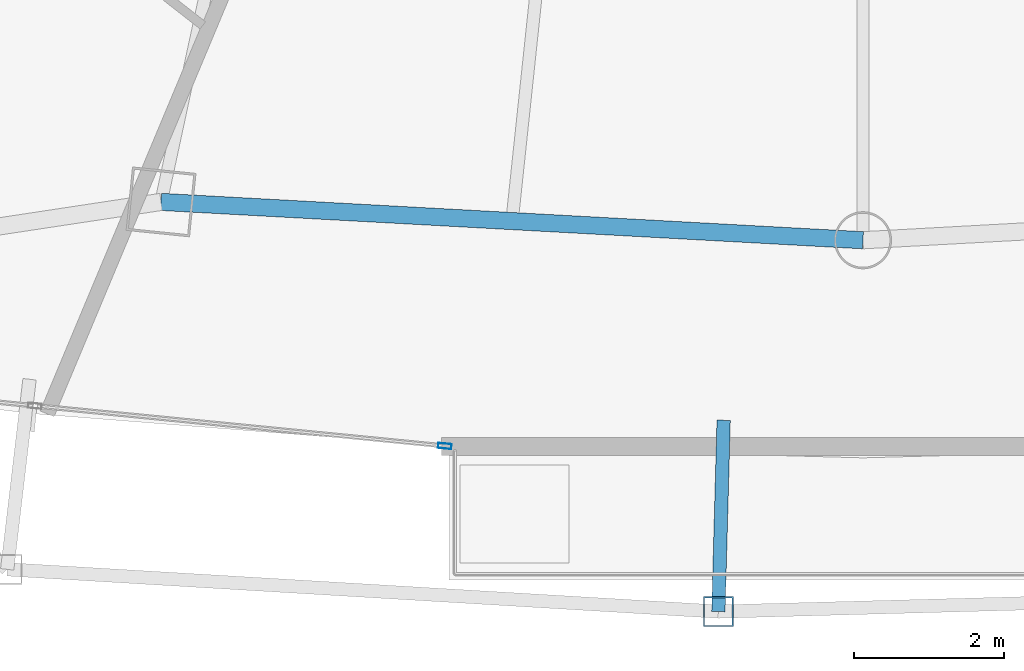
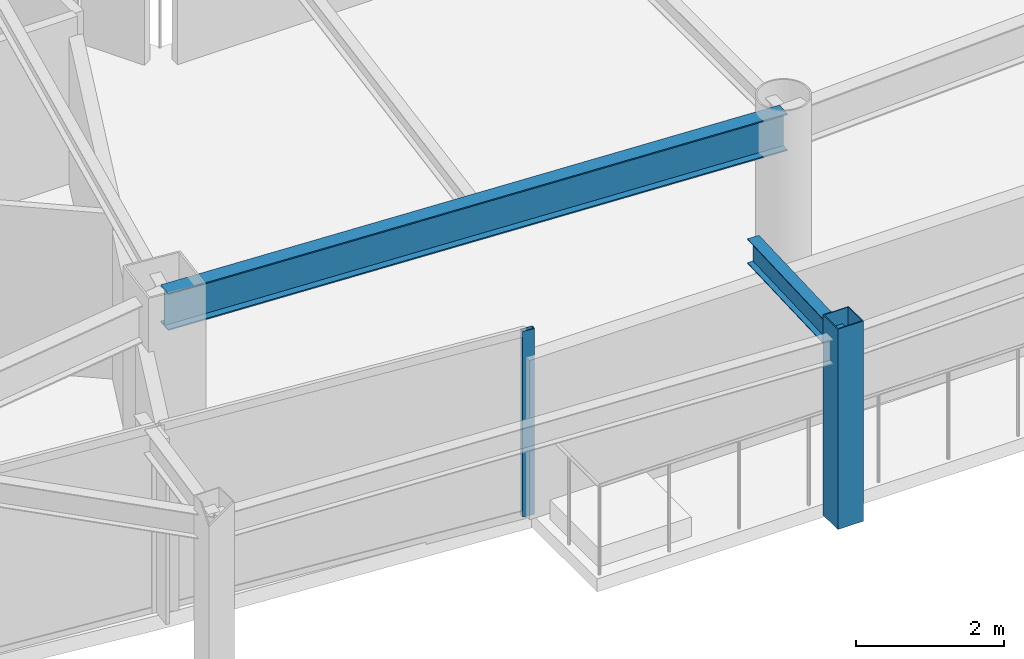
# One storey, part 7 of 30: 2 beams, 2 members, 1 element without a shape of its own.
"""IFC4 building model written with IfcOpenShell, lengths in metres."""

from ifc_helpers import new_model, si_unit, direction, frame, origin, origin_2d, place, context, subcontext, project, spatial, hollow_rectangle, i_section, extrude, material, layer, layer_set, material_profile, profile_set, type_object, element, aggregate, save


model = new_model("IFC4")

# Units and contexts
model_context = context("Model", 3, precision=1e-05, world=origin(), true_north=direction((0.0, 1.0)))
body_context = subcontext(model_context, "Body", "Model", "MODEL_VIEW")
ifc_project = project(units=[si_unit("LENGTHUNIT", "METRE"), si_unit("AREAUNIT", "SQUARE_METRE"), si_unit("VOLUMEUNIT", "CUBIC_METRE"), si_unit("PLANEANGLEUNIT", "RADIAN"), si_unit("MASSUNIT", "GRAM", prefix="KILO")], contexts=[model_context])

# Site, building, storey
site_placement = place(None, origin())
site = spatial("IfcSite", under=ifc_project, at=site_placement, CompositionType="ELEMENT")
building_placement = place(site_placement, origin())
building = spatial("IfcBuilding", under=site, at=building_placement, Name="Orvanel Arch Residences", CompositionType="ELEMENT")
storey_placement = place(building_placement, frame((0.0, 0.0, 180.35009765625)))
storey = spatial("IfcBuildingStorey", under=building, at=storey_placement, Name="L51", CompositionType="ELEMENT", Elevation=180.35009765625)

# Curtain wall, member
ifc_material_1 = material(Name="Bronze-anodised aluminium AA6063-T6", Category="aluminium")
ifc_layer = layer(ifc_material_1, 0.179931640625)
ifc_layer_set = layer_set([ifc_layer], Name="Bronze-anodised aluminium AA6063-T6")
curtain_wall_type = type_object("IfcCurtainWallType", Name="CW3-MID-SYS", PredefinedType="NOTDEFINED", material=ifc_layer_set)
curtain_wall_placement = place(storey_placement, origin())
curtain_wall = element("IfcCurtainWall", 1, at=curtain_wall_placement, inside=storey, type_object=curtain_wall_type, Name="L51 CW3-MID-SYS Unitised Curtain Wall", PredefinedType="NOTDEFINED")
ifc_material_profile_1 = material_profile(ifc_material_1, hollow_rectangle(XDim=0.070068359375, YDim=0.179931640625, WallThickness=0.00439453125, at=origin_2d()), Name="ALU180x70x4.5")
ifc_profile_set_1 = profile_set([ifc_material_profile_1], Name="Bronze-anodised aluminium AA6063-T6")
member_type_1 = type_object("IfcMemberType", Name="MUL-180x70", PredefinedType="MULLION", material=ifc_profile_set_1)
member_1_placement = place(storey_placement, frame((27.42919921875, 4.1025390625, 0.0), z_axis=(0.0, 0.0, 1.0), x_axis=(0.097701556124, 0.995215758482, 0.0)))
member_1 = element("IfcMember", 2, at=member_1_placement, type_object=member_type_1, Name="CW-S3 mullion 3", PredefinedType="MULLION", context=body_context, shape_type="SweptSolid", body=[
    extrude(hollow_rectangle(XDim=0.070068359375, YDim=0.179931640625, WallThickness=0.00439453125, at=origin_2d()), origin(), (0.0, 0.0, 1.0), 3.059814453125),
])
aggregate(curtain_wall, [member_1])

# Beams
ifc_material_2 = material(Name="Structural steel AS/NZS 3679.1 Grade 300 (300 MPa)", Category="steel")
ifc_material_profile_2 = material_profile(ifc_material_2, i_section(OverallWidth=0.177978515625, OverallDepth=0.406005859375, WebThickness=0.0078125, FlangeThickness=0.0126953125, at=origin_2d()), Name="410UB59.7")
ifc_profile_set_2 = profile_set([ifc_material_profile_2], Name="Structural steel AS/NZS 3679.1 Grade 300 (300 MPa)")
beam_type_1 = type_object("IfcBeamType", Name="OB-410UB-EXT", PredefinedType="SPANDREL", material=ifc_profile_set_2)
beam_1_placement = place(storey_placement, frame((31.14404296875, 4.446044921875, 2.85693359375), z_axis=(-0.027477409816, -0.999622424693, 0.0), x_axis=(0.999622424693, -0.027477409816, 0.0)))
element("IfcBeam", 3, at=beam_1_placement, inside=storey, type_object=beam_type_1, Name="L51 Outer Frame Radial Tie Beam 06", PredefinedType="SPANDREL", context=body_context, shape_type="SweptSolid", body=[
    extrude(i_section(OverallWidth=0.177978515625, OverallDepth=0.406005859375, WebThickness=0.0078125, FlangeThickness=0.0126953125, at=origin_2d()), origin(), (0.0, 0.0, 1.0), 2.550048828125),
])
ifc_material_profile_3 = material_profile(ifc_material_2, i_section(OverallWidth=0.22900390625, OverallDepth=0.612060546875, WebThickness=0.011962890625, FlangeThickness=0.01953125, at=origin_2d()), Name="610UB125")
ifc_profile_set_3 = profile_set([ifc_material_profile_3], Name="Structural steel AS/NZS 3679.1 Grade 300 (300 MPa)")
beam_type_2 = type_object("IfcBeamType", Name="SP-610UB", PredefinedType="SPANDREL", material=ifc_profile_set_3)
beam_2_placement = place(storey_placement, frame((23.64892578125, 7.35498046875, 2.75390625), z_axis=(0.998510315598, -0.054563262768, 0.0), x_axis=(0.054563262768, 0.998510315598, 0.0)))
element("IfcBeam", 4, at=beam_2_placement, inside=storey, type_object=beam_type_2, Name="L51 Perimeter Spandrel Beam 05", PredefinedType="SPANDREL", context=body_context, shape_type="SweptSolid", body=[
    extrude(i_section(OverallWidth=0.22900390625, OverallDepth=0.612060546875, WebThickness=0.011962890625, FlangeThickness=0.01953125, at=origin_2d()), origin(), (0.0, 0.0, 1.0), 9.364990234375),
])

# Member
ifc_material_3 = material(Name="Structural steel AS/NZS 1163 C450L0 (Grade 450)", Category="steel")
ifc_material_profile_4 = material_profile(ifc_material_3, hollow_rectangle(XDim=0.39990234375, YDim=0.39990234375, WallThickness=0.01611328125, at=origin_2d()), Name="SHS400x400x16")
ifc_profile_set_4 = profile_set([ifc_material_profile_4], Name="Structural steel AS/NZS 1163 C450L0 (Grade 450)")
member_type_2 = type_object("IfcMemberType", Name="ST-400SHS-EXT", PredefinedType="STRUT", material=ifc_profile_set_4)
member_2_placement = place(storey_placement, frame((31.073974609375, 1.89697265625, 0.0), z_axis=(0.0, 0.0, 1.0), x_axis=(1.0, 0.0, 0.0)))
element("IfcMember", 5, at=member_2_placement, inside=storey, type_object=member_type_2, Name="L51 Outer Perimeter Frame Post 06", PredefinedType="STRUT", context=body_context, shape_type="SweptSolid", body=[
    extrude(hollow_rectangle(XDim=0.39990234375, YDim=0.39990234375, WallThickness=0.01611328125, at=origin_2d()), origin(), (0.0, 0.0, 1.0), 3.2998046875),
])

save(model, "model.ifc")
